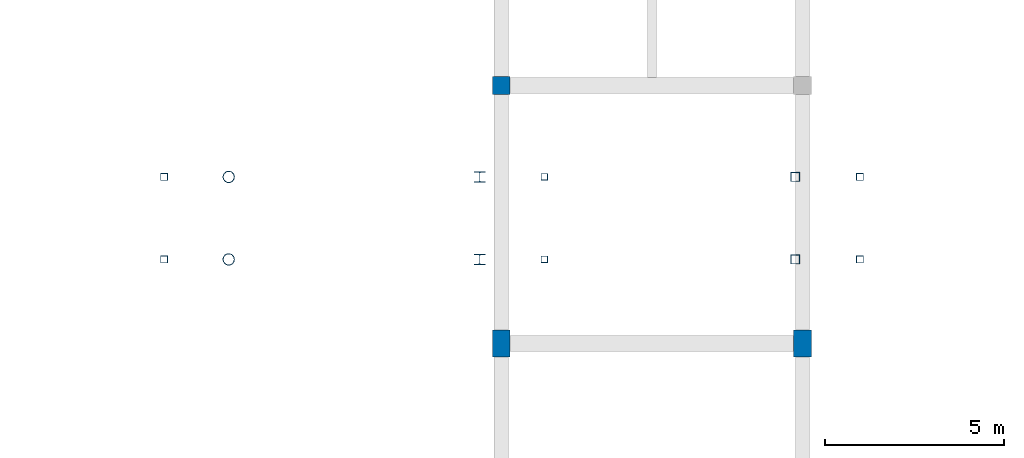
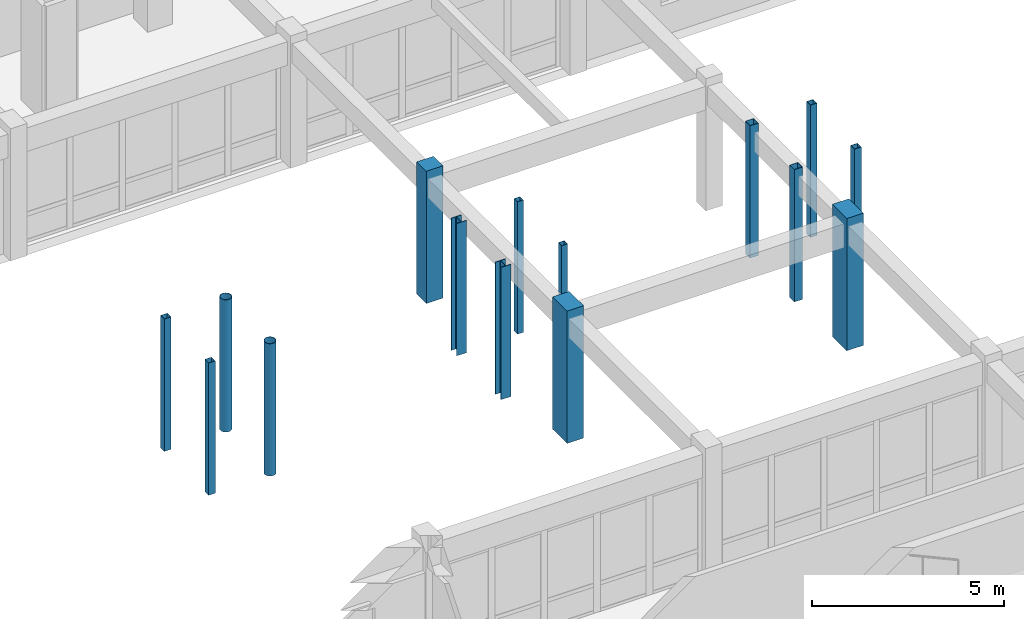
# One storey, part 20 of 90: 15 columns.
"""IFC4 building model written with IfcOpenShell, lengths in metres."""

import ifcopenshell
import ifcopenshell.guid

model = None  # the IFC model being written
_history = None  # IfcOwnerHistory: only IFC2X3 demands one
_inside = {}  # id of a spatial element -> (the spatial element, [elements in it])
_under = {}  # id of a project, library or spatial element -> (it, [spatial elements below it])
_declared = {}  # id of a project -> (the project, [libraries it declares])
_typed = {}  # id of a type object -> (the type object, [elements of that type])
_made_of = {}  # id of a material, layer set ... -> (it, [elements and type objects made of it])


def new_model(schema):
    """Start an empty IFC model of exactly this schema.

    Asked for "IFC4X3", IfcOpenShell would pick the latest addendum, in which some entities
    have other attributes; the version numbers below select the first issue.
    IFC2X3 requires an IfcOwnerHistory on every rooted entity: one is made here for all.
    """
    global model, _history
    if schema == "IFC4X3":
        model = ifcopenshell.file(schema_version=(4, 3, 0, 0))
    else:
        model = ifcopenshell.file(schema=schema)
    _inside.clear()
    _under.clear()
    _declared.clear()
    _typed.clear()
    _made_of.clear()
    _history = None
    if model.schema == "IFC2X3":
        org = make("IfcOrganization", Name="unknown")
        user = make(
            "IfcPersonAndOrganization",
            ThePerson=make("IfcPerson", FamilyName="unknown"),
            TheOrganization=org,
        )
        app = make(
            "IfcApplication",
            ApplicationDeveloper=org,
            Version="unknown",
            ApplicationFullName="unknown",
            ApplicationIdentifier="unknown",
        )
        _history = make(
            "IfcOwnerHistory",
            OwningUser=user,
            OwningApplication=app,
            ChangeAction="ADDED",
            CreationDate=0,
        )
    return model


def make(cls, **values):
    """One entity of the class cls with the attributes given. An attribute that is None is left unset."""
    return model.create_entity(
        cls, **{name: value for name, value in values.items() if value is not None}
    )


def rooted(cls, **values):
    """An entity with a GlobalId (a new one), such as an element, a storey or a relation."""
    return make(cls, GlobalId=ifcopenshell.guid.new(), OwnerHistory=_history, **values)


def si_unit(unit_type, name, prefix=None):
    """IfcSIUnit, for example si_unit("LENGTHUNIT", "METRE", prefix="MILLI")."""
    return make("IfcSIUnit", UnitType=unit_type, Prefix=prefix, Name=name)


def assignment(units):
    """IfcUnitAssignment: the units of a project."""
    return None if units is None else make("IfcUnitAssignment", Units=units)


def point(xyz):
    """IfcCartesianPoint."""
    return None if xyz is None else make("IfcCartesianPoint", Coordinates=xyz)


def direction(xyz):
    """IfcDirection."""
    return None if xyz is None else make("IfcDirection", DirectionRatios=xyz)


def frame(location, z_axis=None, x_axis=None):
    """IfcAxis2Placement3D, a coordinate frame: its origin and axes. An axis left out is left unset."""
    return make(
        "IfcAxis2Placement3D",
        Location=point(location),
        Axis=direction(z_axis),
        RefDirection=direction(x_axis),
    )


def frame_2d(location, x_axis=None):
    """IfcAxis2Placement2D, a coordinate frame in the plane: its origin and x axis."""
    return make(
        "IfcAxis2Placement2D", Location=point(location), RefDirection=direction(x_axis)
    )


def origin():
    """The frame at (0, 0, 0) with its axes left unset."""
    return frame((0.0, 0.0, 0.0))


def origin_2d():
    """The frame at (0, 0) in the plane with its x axis left unset."""
    return frame_2d((0.0, 0.0))


def place(relative_to, where):
    """IfcLocalPlacement: puts the frame where relative to a parent placement (None: the world)."""
    return make(
        "IfcLocalPlacement", PlacementRelTo=relative_to, RelativePlacement=where
    )


def context(
    kind, dimensions, precision=None, world=None, true_north=None, identifier=None
):
    """IfcGeometricRepresentationContext, for example the 3D "Model" context."""
    return make(
        "IfcGeometricRepresentationContext",
        ContextIdentifier=identifier,
        ContextType=kind,
        CoordinateSpaceDimension=dimensions,
        Precision=precision,
        WorldCoordinateSystem=world,
        TrueNorth=true_north,
    )


def subcontext(parent, identifier, kind, view, scale=None):
    """IfcGeometricRepresentationSubContext, for example "Body" below "Model"."""
    return make(
        "IfcGeometricRepresentationSubContext",
        ContextIdentifier=identifier,
        ContextType=kind,
        ParentContext=parent,
        TargetScale=scale,
        TargetView=view,
    )


def project(units=None, contexts=None):
    """IfcProject with its units and contexts."""
    return rooted(
        "IfcProject",
        Name="project",
        RepresentationContexts=contexts,
        UnitsInContext=assignment(units),
    )


def spatial(cls, under=None, at=None, **own):
    """A site, building, storey or space (cls), placed at a placement, below another one or the project."""
    s = rooted(cls, ObjectPlacement=at, **own)
    if under is not None:
        _under.setdefault(under.id(), (under, []))[1].append(s)
    return s


def profile(cls, at=None, kind="AREA", **sizes):
    """A parametric profile (cls). Its sizes go by their IFC names, for example OverallWidth=200.0."""
    return make(cls, ProfileType=kind, Position=at, **sizes)


def rectangle(**sizes):
    """IfcRectangleProfileDef."""
    return profile("IfcRectangleProfileDef", **sizes)


def hollow_rectangle(**sizes):
    """IfcRectangleHollowProfileDef."""
    return profile("IfcRectangleHollowProfileDef", **sizes)


def hollow_circle(**sizes):
    """IfcCircleHollowProfileDef."""
    return profile("IfcCircleHollowProfileDef", **sizes)


def i_section(**sizes):
    """IfcIShapeProfileDef."""
    return profile("IfcIShapeProfileDef", **sizes)


def extrude(swept, where, along, depth):
    """IfcExtrudedAreaSolid: the profile swept, set in the frame where, extruded along a direction by depth."""
    return make(
        "IfcExtrudedAreaSolid",
        SweptArea=swept,
        Position=where,
        ExtrudedDirection=direction(along),
        Depth=depth,
    )


def shape(context_of_items, identifier, shape_type, items):
    """IfcShapeRepresentation: the items that make up one representation, for example the "Body"."""
    return make(
        "IfcShapeRepresentation",
        ContextOfItems=context_of_items,
        RepresentationIdentifier=identifier,
        RepresentationType=shape_type,
        Items=items,
    )


def material(Name=None, Category=None):
    """IfcMaterial."""
    return make("IfcMaterial", Name=Name, Category=Category)


def material_profile(
    of_material, cross_section, Name=None, Category=None, Priority=None
):
    """IfcMaterialProfile: a cross section and its material."""
    return make(
        "IfcMaterialProfile",
        Name=Name,
        Material=of_material,
        Profile=cross_section,
        Priority=Priority,
        Category=Category,
    )


def profile_set(profiles, Name=None, composite=None):
    """IfcMaterialProfileSet."""
    return make(
        "IfcMaterialProfileSet",
        Name=Name,
        MaterialProfiles=profiles,
        CompositeProfile=composite,
    )


def made_of(thing, what):
    """Note that an element or type object is made of a material, layer set ...; save() writes the relation."""
    if what is not None:
        _made_of.setdefault(what.id(), (what, []))[1].append(thing)
    return thing


def type_object(cls, material=None, **own):
    """A type object (cls), such as IfcWallType, which elements share."""
    return made_of(rooted(cls, **own), material)


def element(
    cls,
    number,
    at=None,
    inside=None,
    cuts=None,
    type_object=None,
    material=None,
    context=None,
    identifier="Body",
    shape_type=None,
    held_by="IfcProductDefinitionShape",
    body=None,
    shapes=None,
    **own,
):
    """One element of the class cls, such as IfcWall. Its Tag is "e" and its number.

    at: its placement. inside: the storey or other place that contains it. cuts: it is an
    opening in that element (IfcRelVoidsElement). A single representation is given by context,
    identifier, shape_type and body (its items); several are given by shapes. held_by: the class
    of the entity that holds the representations. save() writes the other relations.
    """
    e = rooted(cls, Tag="e%d" % number, ObjectPlacement=at, **own)
    if body is not None:
        shapes = [shape(context, identifier, shape_type, body)]
    if shapes is not None:
        e.Representation = make(held_by, Representations=shapes)
    if inside is not None:
        _inside.setdefault(inside.id(), (inside, []))[1].append(e)
    if cuts is not None:
        rooted(
            "IfcRelVoidsElement", RelatingBuildingElement=cuts, RelatedOpeningElement=e
        )
    if type_object is not None:
        _typed.setdefault(type_object.id(), (type_object, []))[1].append(e)
    return made_of(e, material)


def aggregate(whole, parts):
    """IfcRelAggregates: a whole, such as a stair, and the parts it consists of."""
    return rooted("IfcRelAggregates", RelatingObject=whole, RelatedObjects=parts)


def save(model, path):
    """Write the relations noted so far, then the file.

    IfcRelAggregates (storeys below a building ...), IfcRelContainedInSpatialStructure (elements
    in a storey), IfcRelDefinesByType, IfcRelAssociatesMaterial and IfcRelDeclares: one each for
    every whole, place, type object, material and project.
    """
    for whole, parts in _under.values():
        aggregate(whole, parts)
    for where, things in _inside.values():
        rooted(
            "IfcRelContainedInSpatialStructure",
            RelatedElements=things,
            RelatingStructure=where,
        )
    for kind, things in _typed.values():
        rooted("IfcRelDefinesByType", RelatedObjects=things, RelatingType=kind)
    for what, things in _made_of.values():
        rooted("IfcRelAssociatesMaterial", RelatedObjects=things, RelatingMaterial=what)
    for by, libraries in _declared.values():
        rooted("IfcRelDeclares", RelatingContext=by, RelatedDefinitions=libraries)
    model.write(path)


model = new_model("IFC4")

# Units and contexts
model_context = context("Model", 3, precision=1e-05, world=origin(), true_north=direction((0.0, 1.0)))
body_context = subcontext(model_context, "Body", "Model", "MODEL_VIEW")
ifc_project = project(units=[si_unit("LENGTHUNIT", "METRE"), si_unit("AREAUNIT", "SQUARE_METRE"), si_unit("VOLUMEUNIT", "CUBIC_METRE"), si_unit("PLANEANGLEUNIT", "RADIAN"), si_unit("MASSUNIT", "GRAM", prefix="KILO")], contexts=[model_context])

# Site, building, storey
site_placement = place(None, origin())
site = spatial("IfcSite", under=ifc_project, at=site_placement, CompositionType="ELEMENT")
building_placement = place(site_placement, origin())
building = spatial("IfcBuilding", under=site, at=building_placement, Name="Malvenik Polytechnic", CompositionType="ELEMENT")
storey_placement = place(building_placement, frame((0.0, 0.0, 9.300048828125)))
storey = spatial("IfcBuildingStorey", under=building, at=storey_placement, Name="L02", CompositionType="ELEMENT", Elevation=9.300048828125)

# Columns
ifc_material_1 = material(Name="Concrete C35/45", Category="concrete")
ifc_material_profile_1 = material_profile(ifc_material_1, rectangle(XDim=0.5, YDim=0.5, at=origin_2d()), Name="RC COL 500x500")
ifc_profile_set_1 = profile_set([ifc_material_profile_1], Name="Concrete C35/45")
column_type_1 = type_object("IfcColumnType", Name="STR-COL-C-08", PredefinedType="COLUMN", material=ifc_profile_set_1)
column_placement = place(storey_placement, frame((75.60009765625, 108.0, 0.0), z_axis=(0.0, 0.0, 1.0), x_axis=(1.0, 0.0, 0.0)))
element("IfcColumn", 1, at=column_placement, inside=storey, type_object=column_type_1, Name="Column C-08 L02 (75.6,108.0)", PredefinedType="COLUMN", context=body_context, shape_type="SweptSolid", body=[
    extrude(rectangle(XDim=0.5, YDim=0.5, at=origin_2d()), origin(), (0.0, 0.0, 1.0), 4.199951171875),
])
ifc_material_profile_2 = material_profile(ifc_material_1, rectangle(XDim=0.5, YDim=0.75, at=origin_2d()), Name="RC COL 750x500")
ifc_profile_set_2 = profile_set([ifc_material_profile_2], Name="Concrete C35/45")
column_type_2 = type_object("IfcColumnType", Name="STR-COL-C-14", PredefinedType="COLUMN", material=ifc_profile_set_2)
for number, where, z_axis, x_axis, name in (
    (2, (75.60009765625, 100.800048828125, 0.0), (0.0, 0.0, 1.0), (1.0, 0.0, 0.0), "Column C-14 L02 (75.6,100.8)"),
    (3, (84.0, 100.800048828125, 0.0), (0.0, 0.0, 1.0), (1.0, 0.0, 0.0), "Column C-14 L02 (84.0,100.8)"),
):
    element("IfcColumn", number, at=place(storey_placement, frame(where, z_axis=z_axis, x_axis=x_axis)), inside=storey, type_object=column_type_2, Name=name, PredefinedType="COLUMN", context=body_context, shape_type="SweptSolid", body=[
        extrude(rectangle(XDim=0.5, YDim=0.75, at=origin_2d()), origin(), (0.0, 0.0, 1.0), 4.199951171875),
    ])
ifc_material_2 = material(Name="Steel S355J2H", Category="steel")
ifc_material_profile_3 = material_profile(ifc_material_2, hollow_rectangle(XDim=0.25, YDim=0.25, WallThickness=0.010009765625, at=origin_2d()), Name="SHS 250x250x10.0")
ifc_profile_set_3 = profile_set([ifc_material_profile_3], Name="Steel S355J2H")
column_type_3 = type_object("IfcColumnType", Name="STR-SCOL-SC-01", PredefinedType="COLUMN", material=ifc_profile_set_3)
for number, where, z_axis, x_axis, name in (
    (4, (83.800048828125, 103.14990234375, 0.0), (0.0, 0.0, 1.0), (1.0, 0.0, 0.0), "Bridge-Ramp Support Column SC-01 L02"),
    (5, (83.800048828125, 105.449951171875, 0.0), (0.0, 0.0, 1.0), (1.0, 0.0, 0.0), "Bridge-Ramp Support Column SC-01 L02"),
):
    element("IfcColumn", number, at=place(storey_placement, frame(where, z_axis=z_axis, x_axis=x_axis)), inside=storey, type_object=column_type_3, Name=name, PredefinedType="COLUMN", context=body_context, shape_type="SweptSolid", body=[
        extrude(hollow_rectangle(XDim=0.25, YDim=0.25, WallThickness=0.010009765625, at=origin_2d()), origin(), (0.0, 0.0, 1.0), 4.199951171875),
    ])
ifc_material_profile_4 = material_profile(ifc_material_2, hollow_rectangle(XDim=0.199951171875, YDim=0.199951171875, WallThickness=0.010009765625, at=origin_2d()), Name="SHS 200x200x10.0")
ifc_profile_set_4 = profile_set([ifc_material_profile_4], Name="Steel S355J2H")
column_type_4 = type_object("IfcColumnType", Name="STR-SCOL-SC-02", PredefinedType="COLUMN", material=ifc_profile_set_4)
for number, where, z_axis, x_axis, name in (
    (6, (66.199951171875, 103.14990234375, 0.0), (0.0, 0.0, 1.0), (1.0, 0.0, 0.0), "Bridge-Ramp Support Column SC-02 L02"),
    (7, (66.199951171875, 105.449951171875, 0.0), (0.0, 0.0, 1.0), (1.0, 0.0, 0.0), "Bridge-Ramp Support Column SC-02 L02"),
    (8, (85.60009765625, 103.14990234375, 0.0), (0.0, 0.0, 1.0), (1.0, 0.0, 0.0), "Bridge-Ramp Support Column SC-02 L02"),
    (9, (85.60009765625, 105.449951171875, 0.0), (0.0, 0.0, 1.0), (1.0, 0.0, 0.0), "Bridge-Ramp Support Column SC-02 L02"),
):
    element("IfcColumn", number, at=place(storey_placement, frame(where, z_axis=z_axis, x_axis=x_axis)), inside=storey, type_object=column_type_4, Name=name, PredefinedType="COLUMN", context=body_context, shape_type="SweptSolid", body=[
        extrude(hollow_rectangle(XDim=0.199951171875, YDim=0.199951171875, WallThickness=0.010009765625, at=origin_2d()), origin(), (0.0, 0.0, 1.0), 4.199951171875),
    ])
ifc_material_profile_5 = material_profile(ifc_material_2, hollow_circle(Radius=0.161865234375, WallThickness=0.012451171875, at=origin_2d()), Name="CHS 323.9x12.5")
ifc_profile_set_5 = profile_set([ifc_material_profile_5], Name="Steel S355J2H")
column_type_5 = type_object("IfcColumnType", Name="STR-SCOL-SC-04", PredefinedType="COLUMN", material=ifc_profile_set_5)
for number, where, z_axis, x_axis, name in (
    (10, (68.0, 103.14990234375, 0.0), (0.0, 0.0, 1.0), (1.0, 0.0, 0.0), "Bridge-Ramp Support Column SC-04 L02"),
    (11, (68.0, 105.449951171875, 0.0), (0.0, 0.0, 1.0), (1.0, 0.0, 0.0), "Bridge-Ramp Support Column SC-04 L02"),
):
    element("IfcColumn", number, at=place(storey_placement, frame(where, z_axis=z_axis, x_axis=x_axis)), inside=storey, type_object=column_type_5, Name=name, PredefinedType="COLUMN", context=body_context, shape_type="SweptSolid", body=[
        extrude(hollow_circle(Radius=0.161865234375, WallThickness=0.012451171875, at=origin_2d()), origin(), (0.0, 0.0, 1.0), 4.199951171875),
    ])
ifc_material_3 = material(Name="Steel S355", Category="steel")
ifc_material_profile_6 = material_profile(ifc_material_3, i_section(OverallWidth=0.300048828125, OverallDepth=0.300048828125, WebThickness=0.010986328125, FlangeThickness=0.01904296875, FilletRadius=0.027099609375, at=origin_2d()), Name="HEB 300")
ifc_profile_set_6 = profile_set([ifc_material_profile_6], Name="Steel S355")
column_type_6 = type_object("IfcColumnType", Name="STR-SCOL-SC-05", PredefinedType="COLUMN", material=ifc_profile_set_6)
for number, where, z_axis, x_axis, name in (
    (12, (75.0, 103.14990234375, 0.0), (0.0, 0.0, 1.0), (1.0, 0.0, 0.0), "Bridge-Ramp Support Column SC-05 L02"),
    (13, (75.0, 105.449951171875, 0.0), (0.0, 0.0, 1.0), (1.0, 0.0, 0.0), "Bridge-Ramp Support Column SC-05 L02"),
):
    element("IfcColumn", number, at=place(storey_placement, frame(where, z_axis=z_axis, x_axis=x_axis)), inside=storey, type_object=column_type_6, Name=name, PredefinedType="COLUMN", context=body_context, shape_type="SweptSolid", body=[
        extrude(i_section(OverallWidth=0.300048828125, OverallDepth=0.300048828125, WebThickness=0.010986328125, FlangeThickness=0.01904296875, FilletRadius=0.027099609375, at=origin_2d()), origin(), (0.0, 0.0, 1.0), 4.199951171875),
    ])
ifc_material_profile_7 = material_profile(ifc_material_2, hollow_rectangle(XDim=0.179931640625, YDim=0.179931640625, WallThickness=0.008056640625, at=origin_2d()), Name="SHS 180x180x8.0")
ifc_profile_set_7 = profile_set([ifc_material_profile_7], Name="Steel S355J2H")
column_type_7 = type_object("IfcColumnType", Name="STR-SCOL-SC-06", PredefinedType="COLUMN", material=ifc_profile_set_7)
for number, where, z_axis, x_axis, name in (
    (14, (76.800048828125, 103.14990234375, 0.0), (0.0, 0.0, 1.0), (1.0, 0.0, 0.0), "Bridge-Ramp Support Column SC-06 L02"),
    (15, (76.800048828125, 105.449951171875, 0.0), (0.0, 0.0, 1.0), (1.0, 0.0, 0.0), "Bridge-Ramp Support Column SC-06 L02"),
):
    element("IfcColumn", number, at=place(storey_placement, frame(where, z_axis=z_axis, x_axis=x_axis)), inside=storey, type_object=column_type_7, Name=name, PredefinedType="COLUMN", context=body_context, shape_type="SweptSolid", body=[
        extrude(hollow_rectangle(XDim=0.179931640625, YDim=0.179931640625, WallThickness=0.008056640625, at=origin_2d()), origin(), (0.0, 0.0, 1.0), 4.199951171875),
    ])

save(model, "model.ifc")
